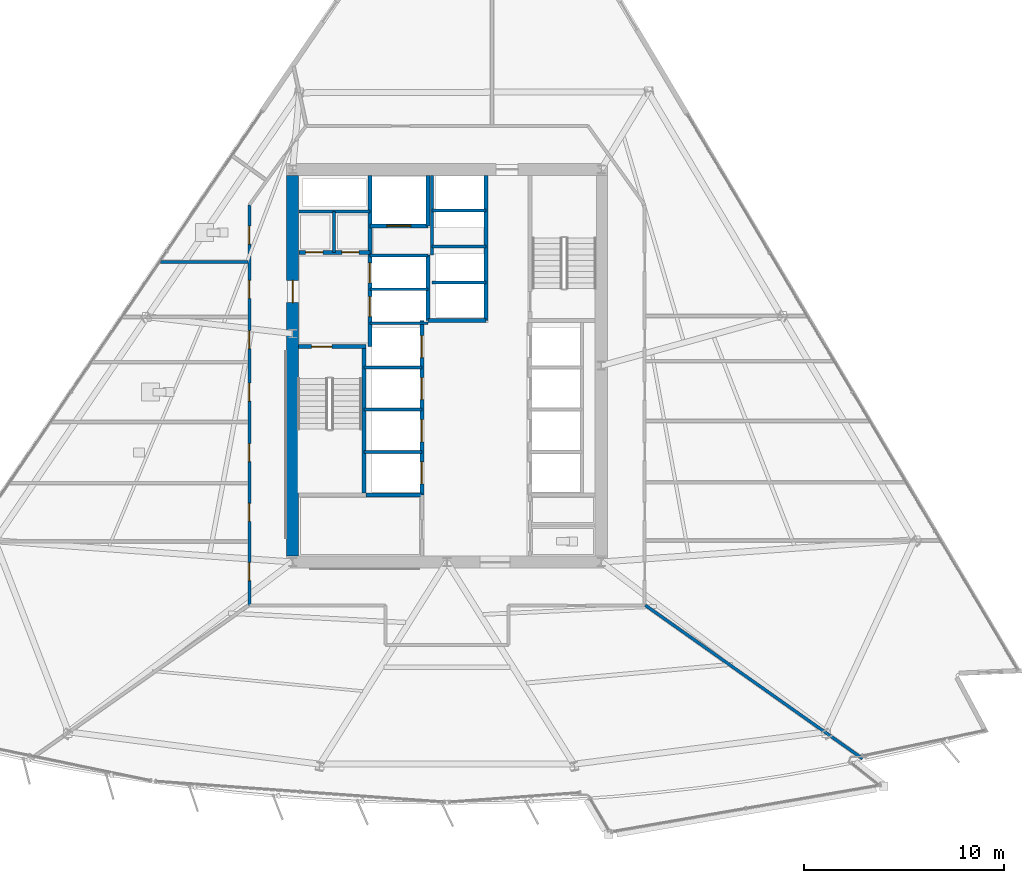
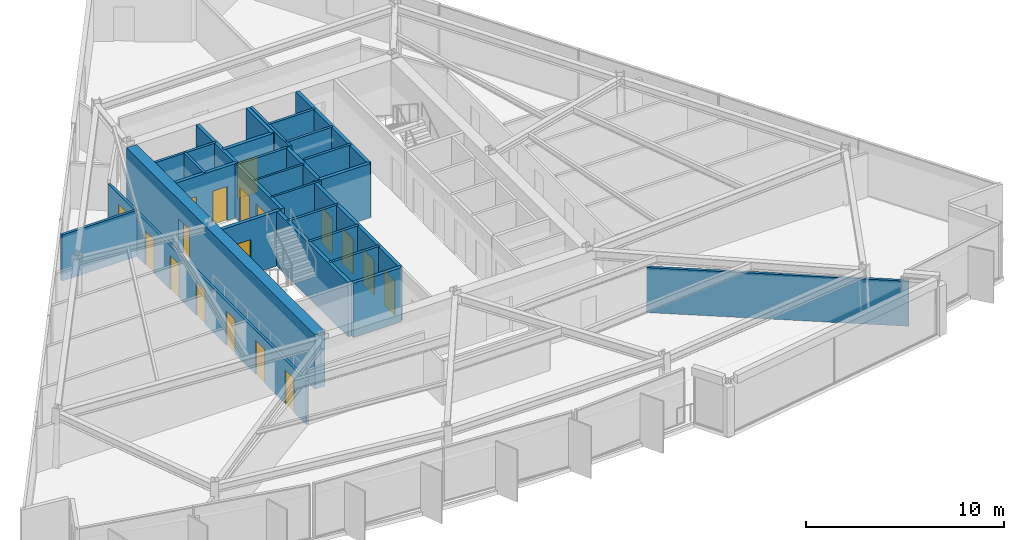
# One storey, part 8 of 15: 27 walls, 18 doors, 18 openings.
"""IFC4 building model written with IfcOpenShell, lengths in metres."""

from ifc_helpers import new_model, si_unit, direction, frame, frame_2d, origin, place, context, subcontext, project, spatial, rectangle, extrude, material, layer, layer_set, type_object, element, fill, save


model = new_model("IFC4")

# Units and contexts
model_context = context("Model", 3, precision=1e-05, world=origin(), true_north=direction((0.0, 1.0)))
body_context = subcontext(model_context, "Body", "Model", "MODEL_VIEW")
ifc_project = project(units=[si_unit("LENGTHUNIT", "METRE"), si_unit("AREAUNIT", "SQUARE_METRE"), si_unit("VOLUMEUNIT", "CUBIC_METRE"), si_unit("PLANEANGLEUNIT", "RADIAN"), si_unit("MASSUNIT", "GRAM", prefix="KILO")], contexts=[model_context])

# Site, building, storey
site_placement = place(None, origin())
site = spatial("IfcSite", under=ifc_project, at=site_placement, CompositionType="ELEMENT")
building_placement = place(site_placement, origin())
building = spatial("IfcBuilding", under=site, at=building_placement, Name="Savorim Split Tower", CompositionType="ELEMENT")
storey_placement = place(building_placement, frame((0.0, 0.0, 96.89990234375)))
storey = spatial("IfcBuildingStorey", under=building, at=storey_placement, Name="L25", CompositionType="ELEMENT", Elevation=96.89990234375)

# Wall, opening, door
ifc_material_1 = material(Name="Concrete C60/75", Category="concrete")
ifc_layer_1 = layer(ifc_material_1, 0.60009765625)
ifc_layer_set_1 = layer_set([ifc_layer_1], Name="WAL-COR-SH600")
wall_type_1 = type_object("IfcWallType", Name="WAL-COR-SH600", PredefinedType="SHEAR", material=ifc_layer_set_1)
wall_1_placement = place(storey_placement, frame((-7.699951171875, -9.10009765625, 0.0), z_axis=(0.0, 0.0, 1.0), x_axis=(0.0, 1.0, 0.0)))
wall_1 = element("IfcWall", 1, at=wall_1_placement, inside=storey, type_object=wall_type_1, Name="L25 Offset Core West Shear Wall", PredefinedType="SHEAR", context=body_context, shape_type="SweptSolid", body=[
    extrude(rectangle(XDim=19.0, YDim=0.60009765625, at=frame_2d((9.5, 0.0))), origin(), (0.0, 0.0, 1.0), 3.35009765625),
])
opening_1_placement = place(wall_1_placement, frame((12.64990234375, 0.0, 0.0)))
opening_1 = element("IfcOpeningElement", 2, at=opening_1_placement, cuts=wall_1, Name="Opening DI-03", PredefinedType="OPENING", context=body_context, shape_type="SweptSolid", body=[
    extrude(rectangle(XDim=1.10009765625, YDim=2.14990234375, at=frame_2d((0.550048828125, 1.074951171875))), frame((0.0, 0.31005859375, 0.0), z_axis=(0.0, -1.0, 0.0), x_axis=(1.0, 0.0, 0.0)), (0.0, 0.0, 1.0), 0.6201171875),
])
ifc_material_2 = material(Name="Timber Fire Door Leaf", Category="wood")
door_type_1 = type_object("IfcDoorType", Name="DOR-FIR-1100", OperationType="NOTDEFINED", PredefinedType="DOOR", material=ifc_material_2)
door_1_placement = place(opening_1_placement, origin())
door_1 = element("IfcDoor", 3, at=door_1_placement, inside=storey, type_object=door_type_1, Name="DOR-L25-COR-FFLOB - L25 Firefighting Lobby Corridor Door", OperationType="SINGLE_SWING_LEFT", OverallHeight=2.14990234375, OverallWidth=1.10009765625, PredefinedType="DOOR", context=body_context, shape_type="SweptSolid", body=[
    extrude(rectangle(XDim=1.10009765625, YDim=2.14990234375, at=frame_2d((0.550048828125, 1.074951171875))), frame((0.0, 0.02490234375, 0.0), z_axis=(0.0, -1.0, 0.0), x_axis=(1.0, 0.0, 0.0)), (0.0, 0.0, 1.0), 0.050048828125),
])
fill(opening_1, door_1)

ifc_material_3 = material(Name="Concrete C50/60", Category="concrete")
ifc_layer_2 = layer(ifc_material_3, 0.199951171875)
ifc_layer_set_2 = layer_set([ifc_layer_2], Name="WAL-INT-RC200")
wall_type_2 = type_object("IfcWallType", Name="WAL-INT-RC200", PredefinedType="SOLIDWALL", material=ifc_layer_set_2)
wall_2_placement = place(storey_placement, frame((-7.39990234375, 1.35009765625, 0.0), z_axis=(0.0, 0.0, 1.0), x_axis=(1.0, 0.0, 0.0)))
wall_2 = element("IfcWall", 4, at=wall_2_placement, inside=storey, type_object=wall_type_2, Name="L25 Structural Shaft Wall W-L25-CR01", PredefinedType="SOLIDWALL", context=body_context, shape_type="SweptSolid", body=[
    extrude(rectangle(XDim=3.349853515625, YDim=0.199951171875, at=frame_2d((1.6748046875, 0.0))), origin(), (0.0, 0.0, 1.0), 3.35009765625),
])
opening_2_placement = place(wall_2_placement, frame((0.64990234375, 0.0, 0.0)))
opening_2 = element("IfcOpeningElement", 5, at=opening_2_placement, cuts=wall_2, Name="Opening DI-04", PredefinedType="OPENING", context=body_context, shape_type="SweptSolid", body=[
    extrude(rectangle(XDim=1.0, YDim=2.14990234375, at=frame_2d((0.5, 1.074951171875))), frame((0.0, 0.10986328125, 0.0), z_axis=(0.0, -1.0, 0.0), x_axis=(1.0, 0.0, 0.0)), (0.0, 0.0, 1.0), 0.219970703125),
])
door_type_2 = type_object("IfcDoorType", Name="DOR-FIR-1000", OperationType="NOTDEFINED", PredefinedType="DOOR", material=ifc_material_2)
door_2_placement = place(opening_2_placement, origin())
door_2 = element("IfcDoor", 6, at=door_2_placement, inside=storey, type_object=door_type_2, Name="DR-L25-ST1 - L25 Stair ST-1 Enclosure Door", OperationType="SINGLE_SWING_LEFT", OverallHeight=2.14990234375, OverallWidth=1.0, PredefinedType="DOOR", context=body_context, shape_type="SweptSolid", body=[
    extrude(rectangle(XDim=1.0, YDim=2.14990234375, at=frame_2d((0.5, 1.074951171875))), frame((0.0, 0.02490234375, 0.0), z_axis=(0.0, -1.0, 0.0), x_axis=(1.0, 0.0, 0.0)), (0.0, 0.0, 1.0), 0.050048828125),
])
fill(opening_2, door_2)

# Wall
wall_3_placement = place(storey_placement, frame((-4.14990234375, -5.949951171875, 0.0), z_axis=(0.0, 0.0, 1.0), x_axis=(0.0, 1.0, 0.0)))
element("IfcWall", 7, at=wall_3_placement, inside=storey, type_object=wall_type_2, Name="L25 Structural Shaft Wall W-L25-CR02", PredefinedType="SOLIDWALL", context=body_context, shape_type="SweptSolid", body=[
    extrude(rectangle(XDim=7.199951171875, YDim=0.199951171875, at=frame_2d((3.60009765625, 0.0))), origin(), (0.0, 0.0, 1.0), 3.35009765625),
])

# Wall, openings, doors
wall_4_placement = place(storey_placement, frame((-3.85009765625, 1.35009765625, 0.0), z_axis=(0.0, 0.0, 1.0), x_axis=(0.0, 1.0, 0.0)))
wall_4 = element("IfcWall", 8, at=wall_4_placement, inside=storey, type_object=wall_type_2, Name="L25 Partition W-L25-CR03", PredefinedType="SOLIDWALL", context=body_context, shape_type="SweptSolid", body=[
    extrude(rectangle(XDim=8.544921875, YDim=0.199951171875, at=frame_2d((4.2724609375, 0.0))), origin(), (0.0, 0.0, 1.0), 3.35009765625),
])
opening_3_placement = place(wall_4_placement, frame((1.5, 0.0, 0.0)))
opening_3 = element("IfcOpeningElement", 9, at=opening_3_placement, cuts=wall_4, Name="Opening LD-FFL", PredefinedType="OPENING", context=body_context, shape_type="SweptSolid", body=[
    extrude(rectangle(XDim=1.0, YDim=2.14990234375, at=frame_2d((0.5, 1.074951171875))), frame((0.0, 0.10986328125, 0.0), z_axis=(0.0, -1.0, 0.0), x_axis=(1.0, 0.0, 0.0)), (0.0, 0.0, 1.0), 0.219970703125),
])
opening_4_placement = place(wall_4_placement, frame((3.179931640625, 0.0, 0.0)))
opening_4 = element("IfcOpeningElement", 10, at=opening_4_placement, cuts=wall_4, Name="Opening LD-FFL", PredefinedType="OPENING", context=body_context, shape_type="SweptSolid", body=[
    extrude(rectangle(XDim=1.0, YDim=2.14990234375, at=frame_2d((0.5, 1.074951171875))), frame((0.0, 0.10986328125, 0.0), z_axis=(0.0, -1.0, 0.0), x_axis=(1.0, 0.0, 0.0)), (0.0, 0.0, 1.0), 0.219970703125),
])
ifc_material_4 = material(Name="Charcoal Anodised Aluminium", Category="aluminium")
door_type_3 = type_object("IfcDoorType", Name="DOR-SLD-LD1000", OperationType="NOTDEFINED", PredefinedType="DOOR", material=ifc_material_4)
door_3_placement = place(opening_3_placement, origin())
door_3 = element("IfcDoor", 11, at=door_3_placement, inside=storey, type_object=door_type_3, Name="DR-L25-LD-FFL1 - L25 Firefighting Lift FFL-1 Sliding Landing Door", OperationType="DOUBLE_DOOR_SLIDING", OverallHeight=2.14990234375, OverallWidth=1.0, PredefinedType="DOOR", context=body_context, shape_type="SweptSolid", body=[
    extrude(rectangle(XDim=1.0, YDim=2.14990234375, at=frame_2d((0.5, 1.074951171875))), frame((0.0, 0.02490234375, 0.0), z_axis=(0.0, -1.0, 0.0), x_axis=(1.0, 0.0, 0.0)), (0.0, 0.0, 1.0), 0.050048828125),
])
fill(opening_3, door_3)
door_4_placement = place(opening_4_placement, origin())
door_4 = element("IfcDoor", 12, at=door_4_placement, inside=storey, type_object=door_type_3, Name="DR-L25-LD-FFL2 - L25 Firefighting Lift FFL-2 Sliding Landing Door", OperationType="DOUBLE_DOOR_SLIDING", OverallHeight=2.14990234375, OverallWidth=1.0, PredefinedType="DOOR", context=body_context, shape_type="SweptSolid", body=[
    extrude(rectangle(XDim=1.0, YDim=2.14990234375, at=frame_2d((0.5, 1.074951171875))), frame((0.0, 0.02490234375, 0.0), z_axis=(0.0, -1.0, 0.0), x_axis=(1.0, 0.0, 0.0)), (0.0, 0.0, 1.0), 0.050048828125),
])
fill(opening_4, door_4)

wall_5_placement = place(storey_placement, frame((-7.39501953125, 6.050048828125, 0.0), z_axis=(0.0, 0.0, 1.0), x_axis=(1.0, 0.0, 0.0)))
wall_5 = element("IfcWall", 13, at=wall_5_placement, inside=storey, type_object=wall_type_2, Name="L25 Partition W-L25-CR04", PredefinedType="SOLIDWALL", context=body_context, shape_type="SweptSolid", body=[
    extrude(rectangle(XDim=3.544921875, YDim=0.199951171875, at=frame_2d((1.7724609375, 0.0))), origin(), (0.0, 0.0, 1.0), 3.35009765625),
])
opening_5_placement = place(wall_5_placement, frame((0.344970703125, 0.0, 0.0)))
opening_5 = element("IfcOpeningElement", 14, at=opening_5_placement, cuts=wall_5, Name="Opening DI-12", PredefinedType="OPENING", context=body_context, shape_type="SweptSolid", body=[
    extrude(rectangle(XDim=0.85009765625, YDim=2.10009765625, at=frame_2d((0.425048828125, 1.050048828125))), frame((0.0, 0.10986328125, 0.0), z_axis=(0.0, -1.0, 0.0), x_axis=(1.0, 0.0, 0.0)), (0.0, 0.0, 1.0), 0.219970703125),
])
opening_6_placement = place(wall_5_placement, frame((2.14501953125, 0.0, 0.0)))
opening_6 = element("IfcOpeningElement", 15, at=opening_6_placement, cuts=wall_5, Name="Opening DI-12", PredefinedType="OPENING", context=body_context, shape_type="SweptSolid", body=[
    extrude(rectangle(XDim=0.85009765625, YDim=2.10009765625, at=frame_2d((0.425048828125, 1.050048828125))), frame((0.0, 0.10986328125, 0.0), z_axis=(0.0, -1.0, 0.0), x_axis=(1.0, 0.0, 0.0)), (0.0, 0.0, 1.0), 0.219970703125),
])
ifc_material_5 = material(Name="Galvanised Painted Steel Balustrade", Category="steel")
door_type_4 = type_object("IfcDoorType", Name="DOR-RIS-850", OperationType="NOTDEFINED", PredefinedType="DOOR", material=ifc_material_5)
door_5_placement = place(opening_5_placement, origin())
door_5 = element("IfcDoor", 16, at=door_5_placement, inside=storey, type_object=door_type_4, Name="DR-L25-ELR - L25 Electrical Riser Access Door", OperationType="SINGLE_SWING_RIGHT", OverallHeight=2.10009765625, OverallWidth=0.85009765625, PredefinedType="DOOR", context=body_context, shape_type="SweptSolid", body=[
    extrude(rectangle(XDim=0.85009765625, YDim=2.10009765625, at=frame_2d((0.425048828125, 1.050048828125))), frame((0.0, 0.02490234375, 0.0), z_axis=(0.0, -1.0, 0.0), x_axis=(1.0, 0.0, 0.0)), (0.0, 0.0, 1.0), 0.050048828125),
])
fill(opening_5, door_5)
door_6_placement = place(opening_6_placement, origin())
door_6 = element("IfcDoor", 17, at=door_6_placement, inside=storey, type_object=door_type_4, Name="DR-L25-TLR - L25 Telecom Riser Access Door", OperationType="SINGLE_SWING_LEFT", OverallHeight=2.10009765625, OverallWidth=0.85009765625, PredefinedType="DOOR", context=body_context, shape_type="SweptSolid", body=[
    extrude(rectangle(XDim=0.85009765625, YDim=2.10009765625, at=frame_2d((0.425048828125, 1.050048828125))), frame((0.0, 0.02490234375, 0.0), z_axis=(0.0, -1.0, 0.0), x_axis=(1.0, 0.0, 0.0)), (0.0, 0.0, 1.0), 0.050048828125),
])
fill(opening_6, door_6)

# Wall
wall_6_placement = place(storey_placement, frame((-0.949951171875, 2.64990234375, 0.0), z_axis=(0.0, 0.0, 1.0), x_axis=(0.0, 1.0, 0.0)))
element("IfcWall", 18, at=wall_6_placement, inside=storey, type_object=wall_type_2, Name="L25 Partition W-L25-FFLW", PredefinedType="SOLIDWALL", context=body_context, shape_type="SweptSolid", body=[
    extrude(rectangle(XDim=3.27001953125, YDim=0.199951171875, at=frame_2d((1.635009765625, 0.0))), origin(), (0.0, 0.0, 1.0), 3.35009765625),
])

# Wall, opening, door
wall_7_placement = place(storey_placement, frame((-3.85009765625, 7.3798828125, 0.0), z_axis=(0.0, 0.0, 1.0), x_axis=(1.0, 0.0, 0.0)))
wall_7 = element("IfcWall", 19, at=wall_7_placement, inside=storey, type_object=wall_type_2, Name="L25 Partition W-L25-SVLS", PredefinedType="SOLIDWALL", context=body_context, shape_type="SweptSolid", body=[
    extrude(rectangle(XDim=2.900146484375, YDim=0.199951171875, at=frame_2d((1.4501953125, 0.0))), origin(), (0.0, 0.0, 1.0), 3.35009765625),
])
opening_7_placement = place(wall_7_placement, frame((0.85009765625, 0.0, 0.0)))
opening_7 = element("IfcOpeningElement", 20, at=opening_7_placement, cuts=wall_7, Name="Opening LD-SV", PredefinedType="OPENING", context=body_context, shape_type="SweptSolid", body=[
    extrude(rectangle(XDim=1.199951171875, YDim=2.199951171875, at=frame_2d((0.60009765625, 1.10009765625))), frame((0.0, 0.10986328125, 0.0), z_axis=(0.0, -1.0, 0.0), x_axis=(1.0, 0.0, 0.0)), (0.0, 0.0, 1.0), 0.219970703125),
])
door_type_5 = type_object("IfcDoorType", Name="DOR-SLD-SV1200", OperationType="NOTDEFINED", PredefinedType="DOOR", material=ifc_material_4)
door_7_placement = place(opening_7_placement, origin())
door_7 = element("IfcDoor", 21, at=door_7_placement, inside=storey, type_object=door_type_5, Name="DR-L25-LD-SVL1 - L25 Service Lift SVL-1 Sliding Landing Door", OperationType="DOUBLE_DOOR_SLIDING", OverallHeight=2.199951171875, OverallWidth=1.199951171875, PredefinedType="DOOR", context=body_context, shape_type="SweptSolid", body=[
    extrude(rectangle(XDim=1.199951171875, YDim=2.199951171875, at=frame_2d((0.60009765625, 1.10009765625))), frame((0.0, 0.02490234375, 0.0), z_axis=(0.0, -1.0, 0.0), x_axis=(1.0, 0.0, 0.0)), (0.0, 0.0, 1.0), 0.050048828125),
])
fill(opening_7, door_7)

# Wall
wall_8_placement = place(storey_placement, frame((-0.949951171875, 7.3798828125, 0.0), z_axis=(0.0, 0.0, 1.0), x_axis=(0.0, 1.0, 0.0)))
element("IfcWall", 22, at=wall_8_placement, inside=storey, type_object=wall_type_2, Name="L25 Partition W-L25-SVLE", PredefinedType="SOLIDWALL", context=body_context, shape_type="SweptSolid", body=[
    extrude(rectangle(XDim=2.51513671875, YDim=0.199951171875, at=frame_2d((1.257568359375, 0.0))), origin(), (0.0, 0.0, 1.0), 3.35009765625),
])

# Wall, openings, doors
wall_9_placement = place(storey_placement, frame((-1.25, -6.050048828125, 0.0), z_axis=(0.0, 0.0, 1.0), x_axis=(0.0, 1.0, 0.0)))
wall_9 = element("IfcWall", 23, at=wall_9_placement, inside=storey, type_object=wall_type_2, Name="L25 Partition W-L25-B2FRONT", PredefinedType="SOLIDWALL", context=body_context, shape_type="SweptSolid", body=[
    extrude(rectangle(XDim=8.699951171875, YDim=0.199951171875, at=frame_2d((4.35009765625, 0.0))), origin(), (0.0, 0.0, 1.0), 3.35009765625),
])
opening_8_placement = place(wall_9_placement, frame((0.550048828125, 0.0, 0.0)))
opening_8 = element("IfcOpeningElement", 24, at=opening_8_placement, cuts=wall_9, Name="Opening LD-02", PredefinedType="OPENING", context=body_context, shape_type="SweptSolid", body=[
    extrude(rectangle(XDim=1.10009765625, YDim=2.14990234375, at=frame_2d((0.550048828125, 1.074951171875))), frame((0.0, 0.10986328125, 0.0), z_axis=(0.0, -1.0, 0.0), x_axis=(1.0, 0.0, 0.0)), (0.0, 0.0, 1.0), 0.219970703125),
])
opening_9_placement = place(wall_9_placement, frame((2.64990234375, 0.0, 0.0)))
opening_9 = element("IfcOpeningElement", 25, at=opening_9_placement, cuts=wall_9, Name="Opening LD-02", PredefinedType="OPENING", context=body_context, shape_type="SweptSolid", body=[
    extrude(rectangle(XDim=1.10009765625, YDim=2.14990234375, at=frame_2d((0.550048828125, 1.074951171875))), frame((0.0, 0.10986328125, 0.0), z_axis=(0.0, -1.0, 0.0), x_axis=(1.0, 0.0, 0.0)), (0.0, 0.0, 1.0), 0.219970703125),
])
opening_10_placement = place(wall_9_placement, frame((4.75, 0.0, 0.0)))
opening_10 = element("IfcOpeningElement", 26, at=opening_10_placement, cuts=wall_9, Name="Opening LD-02", PredefinedType="OPENING", context=body_context, shape_type="SweptSolid", body=[
    extrude(rectangle(XDim=1.10009765625, YDim=2.14990234375, at=frame_2d((0.550048828125, 1.074951171875))), frame((0.0, 0.10986328125, 0.0), z_axis=(0.0, -1.0, 0.0), x_axis=(1.0, 0.0, 0.0)), (0.0, 0.0, 1.0), 0.219970703125),
])
opening_11_placement = place(wall_9_placement, frame((6.85009765625, 0.0, 0.0)))
opening_11 = element("IfcOpeningElement", 27, at=opening_11_placement, cuts=wall_9, Name="Opening LD-02", PredefinedType="OPENING", context=body_context, shape_type="SweptSolid", body=[
    extrude(rectangle(XDim=1.10009765625, YDim=2.14990234375, at=frame_2d((0.550048828125, 1.074951171875))), frame((0.0, 0.10986328125, 0.0), z_axis=(0.0, -1.0, 0.0), x_axis=(1.0, 0.0, 0.0)), (0.0, 0.0, 1.0), 0.219970703125),
])
door_type_6 = type_object("IfcDoorType", Name="DOR-SLD-LDM1100", OperationType="NOTDEFINED", PredefinedType="DOOR", material=ifc_material_4)
door_8_placement = place(opening_8_placement, origin())
door_8 = element("IfcDoor", 28, at=door_8_placement, inside=storey, type_object=door_type_6, Name="DR-L25-LD-PLM1 - L25 Lift PL-M1 Sliding Landing Door", OperationType="DOUBLE_DOOR_SLIDING", OverallHeight=2.14990234375, OverallWidth=1.10009765625, PredefinedType="DOOR", context=body_context, shape_type="SweptSolid", body=[
    extrude(rectangle(XDim=1.10009765625, YDim=2.14990234375, at=frame_2d((0.550048828125, 1.074951171875))), frame((0.0, 0.02490234375, 0.0), z_axis=(0.0, -1.0, 0.0), x_axis=(1.0, 0.0, 0.0)), (0.0, 0.0, 1.0), 0.050048828125),
])
fill(opening_8, door_8)
door_9_placement = place(opening_9_placement, origin())
door_9 = element("IfcDoor", 29, at=door_9_placement, inside=storey, type_object=door_type_6, Name="DR-L25-LD-PLM2 - L25 Lift PL-M2 Sliding Landing Door", OperationType="DOUBLE_DOOR_SLIDING", OverallHeight=2.14990234375, OverallWidth=1.10009765625, PredefinedType="DOOR", context=body_context, shape_type="SweptSolid", body=[
    extrude(rectangle(XDim=1.10009765625, YDim=2.14990234375, at=frame_2d((0.550048828125, 1.074951171875))), frame((0.0, 0.02490234375, 0.0), z_axis=(0.0, -1.0, 0.0), x_axis=(1.0, 0.0, 0.0)), (0.0, 0.0, 1.0), 0.050048828125),
])
fill(opening_9, door_9)
door_10_placement = place(opening_10_placement, origin())
door_10 = element("IfcDoor", 30, at=door_10_placement, inside=storey, type_object=door_type_6, Name="DR-L25-LD-PLM3 - L25 Lift PL-M3 Sliding Landing Door", OperationType="DOUBLE_DOOR_SLIDING", OverallHeight=2.14990234375, OverallWidth=1.10009765625, PredefinedType="DOOR", context=body_context, shape_type="SweptSolid", body=[
    extrude(rectangle(XDim=1.10009765625, YDim=2.14990234375, at=frame_2d((0.550048828125, 1.074951171875))), frame((0.0, 0.02490234375, 0.0), z_axis=(0.0, -1.0, 0.0), x_axis=(1.0, 0.0, 0.0)), (0.0, 0.0, 1.0), 0.050048828125),
])
fill(opening_10, door_10)
door_11_placement = place(opening_11_placement, origin())
door_11 = element("IfcDoor", 31, at=door_11_placement, inside=storey, type_object=door_type_6, Name="DR-L25-LD-PLM4 - L25 Lift PL-M4 Sliding Landing Door", OperationType="DOUBLE_DOOR_SLIDING", OverallHeight=2.14990234375, OverallWidth=1.10009765625, PredefinedType="DOOR", context=body_context, shape_type="SweptSolid", body=[
    extrude(rectangle(XDim=1.10009765625, YDim=2.14990234375, at=frame_2d((0.550048828125, 1.074951171875))), frame((0.0, 0.02490234375, 0.0), z_axis=(0.0, -1.0, 0.0), x_axis=(1.0, 0.0, 0.0)), (0.0, 0.0, 1.0), 0.050048828125),
])
fill(opening_11, door_11)

# Walls
wall_10_placement = place(storey_placement, frame((1.949951171875, 2.64990234375, 0.0), z_axis=(0.0, 0.0, 1.0), x_axis=(0.0, 1.0, 0.0)))
element("IfcWall", 32, at=wall_10_placement, inside=storey, type_object=wall_type_2, Name="L25 Partition W-L25-B3FRONT", PredefinedType="SOLIDWALL", context=body_context, shape_type="SweptSolid", body=[
    extrude(rectangle(XDim=7.2451171875, YDim=0.199951171875, at=frame_2d((3.62255859375, 0.0))), origin(), (0.0, 0.0, 1.0), 3.35009765625),
])
wall_11_placement = place(storey_placement, frame((-0.949951171875, 2.64990234375, 0.0), z_axis=(0.0, 0.0, 1.0), x_axis=(1.0, 0.0, 0.0)))
element("IfcWall", 33, at=wall_11_placement, inside=storey, type_object=wall_type_2, Name="L25 Partition W-L25-B3SOUTH", PredefinedType="SOLIDWALL", context=body_context, shape_type="SweptSolid", body=[
    extrude(rectangle(XDim=2.89990234375, YDim=0.199951171875, at=frame_2d((1.449951171875, 0.0))), origin(), (0.0, 0.0, 1.0), 3.35009765625),
])
wall_12_placement = place(storey_placement, frame((-4.0400390625, -6.050048828125, 0.0), z_axis=(0.0, 0.0, 1.0), x_axis=(1.0, 0.0, 0.0)))
element("IfcWall", 34, at=wall_12_placement, inside=storey, type_object=wall_type_2, Name="L25 Partition W-L25-KSEP-W2", PredefinedType="SOLIDWALL", context=body_context, shape_type="SweptSolid", body=[
    extrude(rectangle(XDim=2.7900390625, YDim=0.199951171875, at=frame_2d((1.39501953125, 0.0))), origin(), (0.0, 0.0, 1.0), 3.35009765625),
])
ifc_material_6 = material(Name="Acoustic Gypsum Partition Board")
ifc_layer_3 = layer(ifc_material_6, 0.1201171875)
ifc_layer_set_3 = layer_set([ifc_layer_3], Name="WAL-PAR-120")
wall_type_3 = type_object("IfcWallType", Name="WAL-PAR-120", PredefinedType="PARTITIONING", material=ifc_layer_set_3)
for number, where, z_axis, x_axis, name in (
    (35, (-3.85009765625, 2.52001953125, 0.0), (0.0, 0.0, 1.0), (1.0, 0.0, 0.0), "L25 Partition W-L25-FFLD0"),
    (36, (-3.85009765625, 4.219970703125, 0.0), (0.0, 0.0, 1.0), (1.0, 0.0, 0.0), "L25 Partition W-L25-FFLD1"),
):
    element("IfcWall", number, at=place(storey_placement, frame(where, z_axis=z_axis, x_axis=x_axis)), inside=storey, type_object=wall_type_3, Name=name, PredefinedType="PARTITIONING", context=body_context, shape_type="SweptSolid", body=[
        extrude(rectangle(XDim=2.900146484375, YDim=0.1201171875, at=frame_2d((1.4501953125, 0.0))), origin(), (0.0, 0.0, 1.0), 3.35009765625),
    ])
ifc_layer_4 = layer(ifc_material_6, 0.14990234375)
ifc_layer_set_4 = layer_set([ifc_layer_4], Name="WAL-PAR-150")
wall_type_4 = type_object("IfcWallType", Name="WAL-PAR-150", PredefinedType="PARTITIONING", material=ifc_layer_set_4)
wall_13_placement = place(storey_placement, frame((-7.39501953125, 8.10009765625, 0.0), z_axis=(0.0, 0.0, 1.0), x_axis=(1.0, 0.0, 0.0)))
element("IfcWall", 37, at=wall_13_placement, inside=storey, type_object=wall_type_4, Name="L25 Partition W-L25-CR05", PredefinedType="PARTITIONING", context=body_context, shape_type="SweptSolid", body=[
    extrude(rectangle(XDim=3.544921875, YDim=0.14990234375, at=frame_2d((1.7724609375, 0.0))), origin(), (0.0, 0.0, 1.0), 3.35009765625),
])
wall_14_placement = place(storey_placement, frame((-5.64990234375, 6.050048828125, 0.0), z_axis=(0.0, 0.0, 1.0), x_axis=(0.0, 1.0, 0.0)))
element("IfcWall", 38, at=wall_14_placement, inside=storey, type_object=wall_type_4, Name="L25 Partition W-L25-CR06", PredefinedType="PARTITIONING", context=body_context, shape_type="SweptSolid", body=[
    extrude(rectangle(XDim=2.050048828125, YDim=0.14990234375, at=frame_2d((1.02490234375, 0.0))), origin(), (0.0, 0.0, 1.0), 3.35009765625),
])
wall_15_placement = place(storey_placement, frame((-3.85009765625, 5.89990234375, 0.0), z_axis=(0.0, 0.0, 1.0), x_axis=(1.0, 0.0, 0.0)))
element("IfcWall", 39, at=wall_15_placement, inside=storey, type_object=wall_type_4, Name="L25 Partition W-L25-FFLD2", PredefinedType="PARTITIONING", context=body_context, shape_type="SweptSolid", body=[
    extrude(rectangle(XDim=2.900146484375, YDim=0.14990234375, at=frame_2d((1.4501953125, 0.0))), origin(), (0.0, 0.0, 1.0), 3.35009765625),
])
for number, where, z_axis, x_axis, name in (
    (40, (-4.14990234375, -3.89990234375, 0.0), (0.0, 0.0, 1.0), (1.0, 0.0, 0.0), "L25 Partition W-L25-B2DIV1"),
    (41, (-4.14990234375, -1.800048828125, 0.0), (0.0, 0.0, 1.0), (1.0, 0.0, 0.0), "L25 Partition W-L25-B2DIV2"),
    (42, (-4.14990234375, 0.300048828125, 0.0), (0.0, 0.0, 1.0), (1.0, 0.0, 0.0), "L25 Partition W-L25-B2DIV3"),
):
    element("IfcWall", number, at=place(storey_placement, frame(where, z_axis=z_axis, x_axis=x_axis)), inside=storey, type_object=wall_type_4, Name=name, PredefinedType="PARTITIONING", context=body_context, shape_type="SweptSolid", body=[
        extrude(rectangle(XDim=2.89990234375, YDim=0.14990234375, at=frame_2d((1.449951171875, 0.0))), origin(), (0.0, 0.0, 1.0), 3.35009765625),
    ])
wall_16_placement = place(storey_placement, frame((-0.75, 5.919921875, 0.0), z_axis=(0.0, 0.0, 1.0), x_axis=(0.0, 1.0, 0.0)))
element("IfcWall", 43, at=wall_16_placement, inside=storey, type_object=wall_type_4, Name="L25 Partition W-L25-B3WEST", PredefinedType="PARTITIONING", context=body_context, shape_type="SweptSolid", body=[
    extrude(rectangle(XDim=3.97509765625, YDim=0.14990234375, at=frame_2d((1.987548828125, 0.0))), origin(), (0.0, 0.0, 1.0), 3.35009765625),
])
for number, where, z_axis, x_axis, name in (
    (44, (-0.75, 4.550048828125, 0.0), (0.0, 0.0, 1.0), (1.0, 0.0, 0.0), "L25 Partition W-L25-B3DIV1"),
    (45, (-0.75, 6.35009765625, 0.0), (0.0, 0.0, 1.0), (1.0, 0.0, 0.0), "L25 Partition W-L25-B3DIV2"),
    (46, (-0.75, 8.14990234375, 0.0), (0.0, 0.0, 1.0), (1.0, 0.0, 0.0), "L25 Partition W-L25-B3DIV3"),
):
    element("IfcWall", number, at=place(storey_placement, frame(where, z_axis=z_axis, x_axis=x_axis)), inside=storey, type_object=wall_type_4, Name=name, PredefinedType="PARTITIONING", context=body_context, shape_type="SweptSolid", body=[
        extrude(rectangle(XDim=2.699951171875, YDim=0.14990234375, at=frame_2d((1.35009765625, 0.0))), origin(), (0.0, 0.0, 1.0), 3.35009765625),
    ])

# Wall, openings, doors
wall_17_placement = place(storey_placement, frame((-9.860107421875, -11.56005859375, 0.0), z_axis=(0.0, 0.0, 1.0), x_axis=(0.0, 1.0, 0.0)))
wall_17 = element("IfcWall", 47, at=wall_17_placement, inside=storey, type_object=wall_type_4, Name="L25 Partition W-L25-COR-01", PredefinedType="PARTITIONING", context=body_context, shape_type="SweptSolid", body=[
    extrude(rectangle(XDim=19.98583984375, YDim=0.14990234375, at=frame_2d((9.992919921875, 0.0))), origin(), (0.0, 0.0, 1.0), 2.705078125),
])
opening_12_placement = place(wall_17_placement, frame((10.1904296875, 0.0, 0.0)))
opening_12 = element("IfcOpeningElement", 48, at=opening_12_placement, cuts=wall_17, Name="Opening DI-11", PredefinedType="OPENING", context=body_context, shape_type="SweptSolid", body=[
    extrude(rectangle(XDim=0.89990234375, YDim=2.10009765625, at=frame_2d((0.449951171875, 1.050048828125))), frame((0.0, 0.0849609375, 0.0), z_axis=(0.0, -1.0, 0.0), x_axis=(1.0, 0.0, 0.0)), (0.0, 0.0, 1.0), 0.169921875),
])
opening_13_placement = place(wall_17_placement, frame((7.169921875, 0.0, 0.0)))
opening_13 = element("IfcOpeningElement", 49, at=opening_13_placement, cuts=wall_17, Name="Opening DI-06", PredefinedType="OPENING", context=body_context, shape_type="SweptSolid", body=[
    extrude(rectangle(XDim=0.89990234375, YDim=2.10009765625, at=frame_2d((0.449951171875, 1.050048828125))), frame((0.0, 0.0849609375, 0.0), z_axis=(0.0, -1.0, 0.0), x_axis=(1.0, 0.0, 0.0)), (0.0, 0.0, 1.0), 0.169921875),
])
opening_14_placement = place(wall_17_placement, frame((4.187255859375, 0.0, 0.0)))
opening_14 = element("IfcOpeningElement", 50, at=opening_14_placement, cuts=wall_17, Name="Opening DI-06", PredefinedType="OPENING", context=body_context, shape_type="SweptSolid", body=[
    extrude(rectangle(XDim=0.89990234375, YDim=2.10009765625, at=frame_2d((0.449951171875, 1.050048828125))), frame((0.0, 0.0849609375, 0.0), z_axis=(0.0, -1.0, 0.0), x_axis=(1.0, 0.0, 0.0)), (0.0, 0.0, 1.0), 0.169921875),
])
opening_15_placement = place(wall_17_placement, frame((1.23095703125, 0.0, 0.0)))
opening_15 = element("IfcOpeningElement", 51, at=opening_15_placement, cuts=wall_17, Name="Opening DI-06", PredefinedType="OPENING", context=body_context, shape_type="SweptSolid", body=[
    extrude(rectangle(XDim=0.89990234375, YDim=2.10009765625, at=frame_2d((0.449951171875, 1.050048828125))), frame((0.0, 0.0849609375, 0.0), z_axis=(0.0, -1.0, 0.0), x_axis=(1.0, 0.0, 0.0)), (0.0, 0.0, 1.0), 0.169921875),
])
opening_16_placement = place(wall_17_placement, frame((18.025634765625, 0.0, 0.0)))
opening_16 = element("IfcOpeningElement", 52, at=opening_16_placement, cuts=wall_17, Name="Opening DI-11", PredefinedType="OPENING", context=body_context, shape_type="SweptSolid", body=[
    extrude(rectangle(XDim=0.89990234375, YDim=2.10009765625, at=frame_2d((0.449951171875, 1.050048828125))), frame((0.0, 0.0849609375, 0.0), z_axis=(0.0, -1.0, 0.0), x_axis=(1.0, 0.0, 0.0)), (0.0, 0.0, 1.0), 0.169921875),
])
opening_17_placement = place(wall_17_placement, frame((15.3134765625, 0.0, 0.0)))
opening_17 = element("IfcOpeningElement", 53, at=opening_17_placement, cuts=wall_17, Name="Opening DI-06", PredefinedType="OPENING", context=body_context, shape_type="SweptSolid", body=[
    extrude(rectangle(XDim=0.89990234375, YDim=2.10009765625, at=frame_2d((0.449951171875, 1.050048828125))), frame((0.0, 0.0849609375, 0.0), z_axis=(0.0, -1.0, 0.0), x_axis=(1.0, 0.0, 0.0)), (0.0, 0.0, 1.0), 0.169921875),
])
opening_18_placement = place(wall_17_placement, frame((12.8076171875, 0.0, 0.0)))
opening_18 = element("IfcOpeningElement", 54, at=opening_18_placement, cuts=wall_17, Name="Opening DI-06", PredefinedType="OPENING", context=body_context, shape_type="SweptSolid", body=[
    extrude(rectangle(XDim=0.89990234375, YDim=2.10009765625, at=frame_2d((0.449951171875, 1.050048828125))), frame((0.0, 0.0849609375, 0.0), z_axis=(0.0, -1.0, 0.0), x_axis=(1.0, 0.0, 0.0)), (0.0, 0.0, 1.0), 0.169921875),
])
door_type_7 = type_object("IfcDoorType", Name="DOR-FIR-900", OperationType="NOTDEFINED", PredefinedType="DOOR", material=ifc_material_2)
door_12_placement = place(opening_13_placement, origin())
door_12 = element("IfcDoor", 55, at=door_12_placement, inside=storey, type_object=door_type_7, Name="DR-L25-RM02 - L25 Shared Kitchen Entry Door", OperationType="SINGLE_SWING_LEFT", OverallHeight=2.10009765625, OverallWidth=0.89990234375, PredefinedType="DOOR", context=body_context, shape_type="SweptSolid", body=[
    extrude(rectangle(XDim=0.89990234375, YDim=2.10009765625, at=frame_2d((0.449951171875, 1.050048828125))), frame((0.0, 0.02490234375, 0.0), z_axis=(0.0, -1.0, 0.0), x_axis=(1.0, 0.0, 0.0)), (0.0, 0.0, 1.0), 0.050048828125),
])
fill(opening_13, door_12)
door_13_placement = place(opening_14_placement, origin())
door_13 = element("IfcDoor", 56, at=door_13_placement, inside=storey, type_object=door_type_7, Name="DR-L25-RM03 - L25 Co-Working Commons Entry Door", OperationType="SINGLE_SWING_RIGHT", OverallHeight=2.10009765625, OverallWidth=0.89990234375, PredefinedType="DOOR", context=body_context, shape_type="SweptSolid", body=[
    extrude(rectangle(XDim=0.89990234375, YDim=2.10009765625, at=frame_2d((0.449951171875, 1.050048828125))), frame((0.0, 0.02490234375, 0.0), z_axis=(0.0, -1.0, 0.0), x_axis=(1.0, 0.0, 0.0)), (0.0, 0.0, 1.0), 0.050048828125),
])
fill(opening_14, door_13)
door_14_placement = place(opening_15_placement, origin())
door_14 = element("IfcDoor", 57, at=door_14_placement, inside=storey, type_object=door_type_7, Name="DR-L25-RM04 - L25 Co-Working Commons Entry Door", OperationType="SINGLE_SWING_LEFT", OverallHeight=2.10009765625, OverallWidth=0.89990234375, PredefinedType="DOOR", context=body_context, shape_type="SweptSolid", body=[
    extrude(rectangle(XDim=0.89990234375, YDim=2.10009765625, at=frame_2d((0.449951171875, 1.050048828125))), frame((0.0, 0.02490234375, 0.0), z_axis=(0.0, -1.0, 0.0), x_axis=(1.0, 0.0, 0.0)), (0.0, 0.0, 1.0), 0.050048828125),
])
fill(opening_15, door_14)
door_15_placement = place(opening_17_placement, origin())
door_15 = element("IfcDoor", 58, at=door_15_placement, inside=storey, type_object=door_type_7, Name="DR-L25-RM15 - L25 Maker Workshop Entry Door", OperationType="SINGLE_SWING_RIGHT", OverallHeight=2.10009765625, OverallWidth=0.89990234375, PredefinedType="DOOR", context=body_context, shape_type="SweptSolid", body=[
    extrude(rectangle(XDim=0.89990234375, YDim=2.10009765625, at=frame_2d((0.449951171875, 1.050048828125))), frame((0.0, 0.02490234375, 0.0), z_axis=(0.0, -1.0, 0.0), x_axis=(1.0, 0.0, 0.0)), (0.0, 0.0, 1.0), 0.050048828125),
])
fill(opening_17, door_15)
door_16_placement = place(opening_18_placement, origin())
door_16 = element("IfcDoor", 59, at=door_16_placement, inside=storey, type_object=door_type_7, Name="DR-L25-RM16 - L25 Co-Living Bedroom Entry Door", OperationType="SINGLE_SWING_LEFT", OverallHeight=2.10009765625, OverallWidth=0.89990234375, PredefinedType="DOOR", context=body_context, shape_type="SweptSolid", body=[
    extrude(rectangle(XDim=0.89990234375, YDim=2.10009765625, at=frame_2d((0.449951171875, 1.050048828125))), frame((0.0, 0.02490234375, 0.0), z_axis=(0.0, -1.0, 0.0), x_axis=(1.0, 0.0, 0.0)), (0.0, 0.0, 1.0), 0.050048828125),
])
fill(opening_18, door_16)
ifc_material_7 = material(Name="Oak Veneer Acoustic Door")
door_type_8 = type_object("IfcDoorType", Name="DOR-WC-900", OperationType="NOTDEFINED", PredefinedType="DOOR", material=ifc_material_7)
door_17_placement = place(opening_12_placement, origin())
door_17 = element("IfcDoor", 60, at=door_17_placement, inside=storey, type_object=door_type_8, Name="DR-L25-RM01 - L25 Shared Bathroom Entry Door", OperationType="SINGLE_SWING_RIGHT", OverallHeight=2.10009765625, OverallWidth=0.89990234375, PredefinedType="DOOR", context=body_context, shape_type="SweptSolid", body=[
    extrude(rectangle(XDim=0.89990234375, YDim=2.10009765625, at=frame_2d((0.449951171875, 1.050048828125))), frame((0.0, 0.02490234375, 0.0), z_axis=(0.0, -1.0, 0.0), x_axis=(1.0, 0.0, 0.0)), (0.0, 0.0, 1.0), 0.050048828125),
])
fill(opening_12, door_17)
door_18_placement = place(opening_16_placement, origin())
door_18 = element("IfcDoor", 61, at=door_18_placement, inside=storey, type_object=door_type_8, Name="DR-L25-RM14 - L25 Shared Bathroom Entry Door", OperationType="SINGLE_SWING_LEFT", OverallHeight=2.10009765625, OverallWidth=0.89990234375, PredefinedType="DOOR", context=body_context, shape_type="SweptSolid", body=[
    extrude(rectangle(XDim=0.89990234375, YDim=2.10009765625, at=frame_2d((0.449951171875, 1.050048828125))), frame((0.0, 0.02490234375, 0.0), z_axis=(0.0, -1.0, 0.0), x_axis=(1.0, 0.0, 0.0)), (0.0, 0.0, 1.0), 0.050048828125),
])
fill(opening_16, door_18)

# Walls
wall_18_placement = place(storey_placement, frame((9.896240234375, -11.5576171875, 0.0), z_axis=(0.0, 0.0, 1.0), x_axis=(0.816976528072, -0.57667092226, 0.0)))
element("IfcWall", 62, at=wall_18_placement, inside=storey, type_object=wall_type_4, Name="L25 Partition W-L25-PRAD04", PredefinedType="PARTITIONING", context=body_context, shape_type="SweptSolid", body=[
    extrude(rectangle(XDim=13.2744140625, YDim=0.14990234375, at=frame_2d((6.63720703125, 0.0))), origin(), (0.0, 0.0, 1.0), 2.775146484375),
])
wall_19_placement = place(storey_placement, frame((-9.919921875, 5.583740234375, 0.0), z_axis=(0.0, 0.0, 1.0), x_axis=(-1.0, 0.0, 0.0)))
element("IfcWall", 63, at=wall_19_placement, inside=storey, type_object=wall_type_4, Name="L25 Partition W-L25-SUB09", PredefinedType="PARTITIONING", context=body_context, shape_type="SweptSolid", body=[
    extrude(rectangle(XDim=4.374267578125, YDim=0.14990234375, at=frame_2d((2.18701171875, 0.0))), origin(), (0.0, 0.0, 1.0), 2.835205078125),
])

save(model, "model.ifc")
